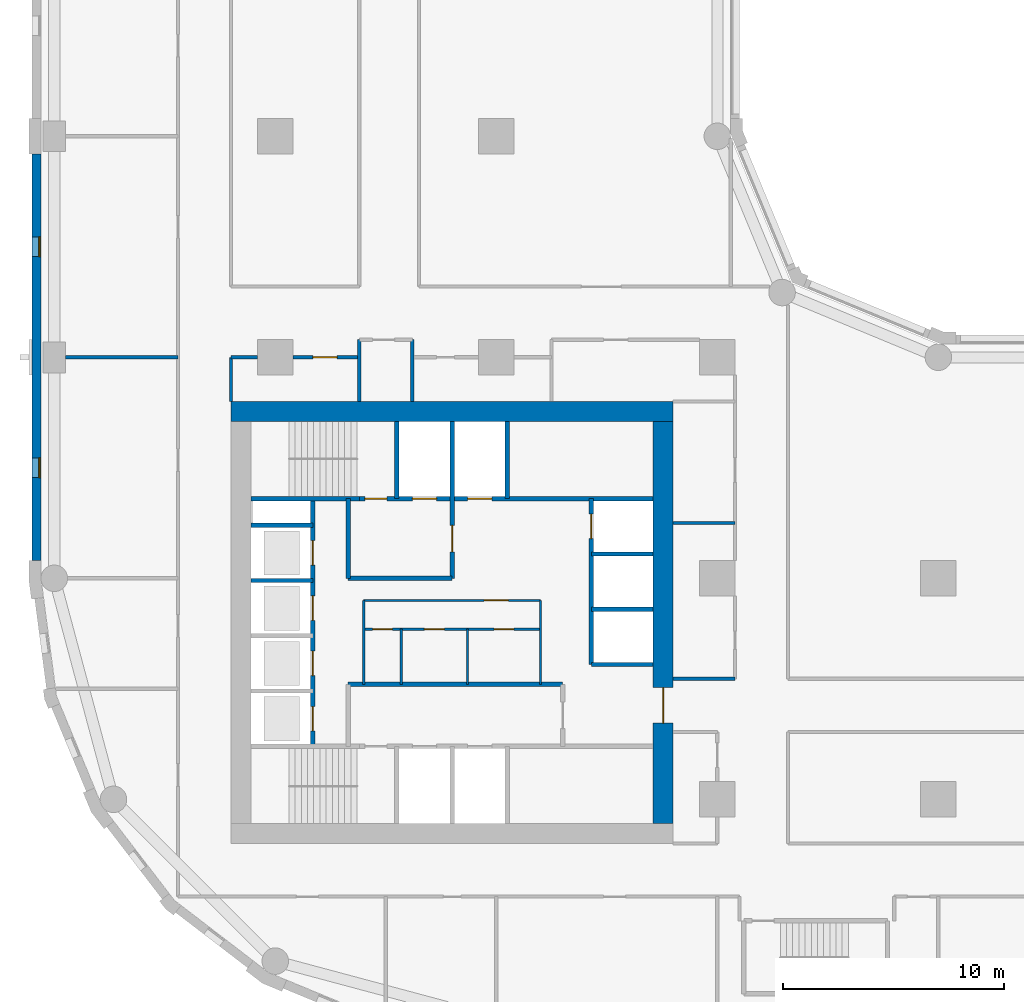
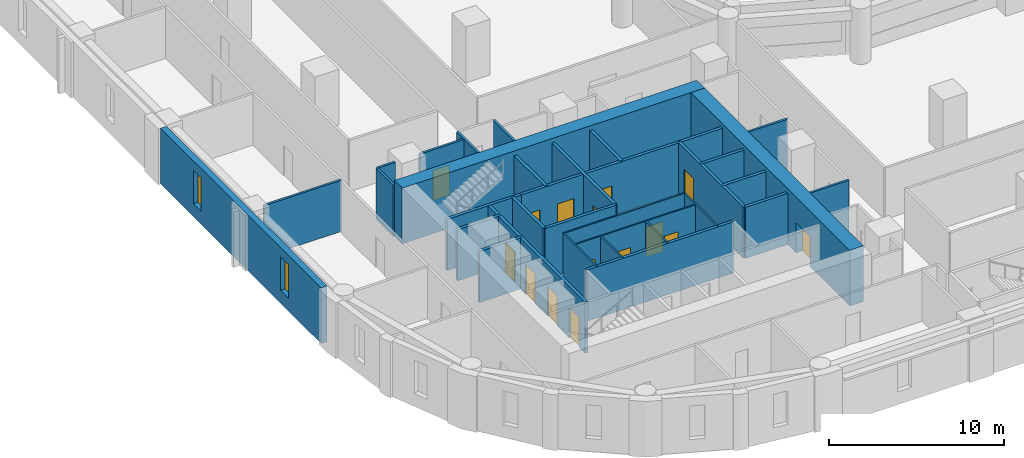
# One storey, part 3 of 10: 32 walls, 15 doors, 2 windows, 17 openings.
"""IFC4 building model written with IfcOpenShell, lengths in metres."""

from ifc_helpers import new_model, si_unit, direction, frame, frame_2d, origin, place, context, subcontext, project, spatial, rectangle, extrude, material, layer, layer_set, type_object, element, fill, save


model = new_model("IFC4")

# Units and contexts
model_context = context("Model", 3, precision=1e-05, world=origin(), true_north=direction((0.0, 1.0)))
body_context = subcontext(model_context, "Body", "Model", "MODEL_VIEW")
ifc_project = project(units=[si_unit("LENGTHUNIT", "METRE"), si_unit("AREAUNIT", "SQUARE_METRE"), si_unit("VOLUMEUNIT", "CUBIC_METRE"), si_unit("PLANEANGLEUNIT", "RADIAN"), si_unit("MASSUNIT", "GRAM", prefix="KILO")], contexts=[model_context])

# Site, building, storey
site_placement = place(None, origin())
site = spatial("IfcSite", under=ifc_project, at=site_placement, CompositionType="ELEMENT")
building_placement = place(site_placement, origin())
building = spatial("IfcBuilding", under=site, at=building_placement, Name="Qaws Garden Tower", CompositionType="ELEMENT")
storey_placement = place(building_placement, frame((0.0, 0.0, 47.10009765625)))
storey = spatial("IfcBuildingStorey", under=building, at=storey_placement, Name="L11", CompositionType="ELEMENT", Elevation=47.10009765625)

# Wall, openings, windows
ifc_material_1 = material(Name="Clay facing brick masonry", Category="masonry")
ifc_layer_1 = layer(ifc_material_1, 0.39990234375)
ifc_layer_set_1 = layer_set([ifc_layer_1], Name="Clay facing brick masonry")
wall_type_1 = type_object("IfcWallType", Name="Brick infill wall 400", PredefinedType="SOLIDWALL", material=ifc_layer_set_1)
wall_1_placement = place(storey_placement, frame((-0.800048828125, 39.199951171875, 0.0), z_axis=(0.0, 0.0, 1.0), x_axis=(0.0, -1.0, 0.0)))
wall_1 = element("IfcWall", 1, at=wall_1_placement, inside=storey, type_object=wall_type_1, Name="E-L11-infill-25", PredefinedType="SOLIDWALL", context=body_context, shape_type="SweptSolid", body=[
    extrude(rectangle(XDim=18.39990234375, YDim=0.39990234375, at=frame_2d((9.199951171875, 0.0))), origin(), (0.0, 0.0, 1.0), 3.89990234375),
])
opening_1_placement = place(wall_1_placement, frame((3.75, 0.0, 0.89990234375)))
opening_1 = element("IfcOpeningElement", 2, at=opening_1_placement, cuts=wall_1, Name="Opening W09", PredefinedType="OPENING", context=body_context, shape_type="SweptSolid", body=[
    extrude(rectangle(XDim=0.89990234375, YDim=2.35009765625, at=frame_2d((0.449951171875, 1.175048828125))), frame((0.0, 0.2099609375, 0.0), z_axis=(0.0, -1.0, 0.0), x_axis=(1.0, 0.0, 0.0)), (0.0, 0.0, 1.0), 0.419921875),
])
opening_2_placement = place(wall_1_placement, frame((13.75, 0.0, 0.89990234375)))
opening_2 = element("IfcOpeningElement", 3, at=opening_2_placement, cuts=wall_1, Name="Opening W09", PredefinedType="OPENING", context=body_context, shape_type="SweptSolid", body=[
    extrude(rectangle(XDim=0.89990234375, YDim=2.35009765625, at=frame_2d((0.449951171875, 1.175048828125))), frame((0.0, 0.2099609375, 0.0), z_axis=(0.0, -1.0, 0.0), x_axis=(1.0, 0.0, 0.0)), (0.0, 0.0, 1.0), 0.419921875),
])
ifc_material_2 = material(Name="Aluminium framed window, clear glazing", Category="aluminium")
window_type = type_object("IfcWindowType", Name="Slit window 900 x 2350", PartitioningType="SINGLE_PANEL", PredefinedType="WINDOW", material=ifc_material_2)
window_1_placement = place(opening_1_placement, origin())
window_1 = element("IfcWindow", 4, at=window_1_placement, inside=storey, type_object=window_type, Name="E-L11-window-25-0", OverallHeight=2.35009765625, OverallWidth=0.89990234375, PartitioningType="SINGLE_PANEL", PredefinedType="WINDOW", context=body_context, shape_type="SweptSolid", body=[
    extrude(rectangle(XDim=0.89990234375, YDim=2.35009765625, at=frame_2d((0.449951171875, 1.175048828125))), frame((0.0, 0.159912109375, 0.0), z_axis=(0.0, -1.0, 0.0), x_axis=(1.0, 0.0, 0.0)), (0.0, 0.0, 1.0), 0.06005859375),
])
fill(opening_1, window_1)
window_2_placement = place(opening_2_placement, origin())
window_2 = element("IfcWindow", 5, at=window_2_placement, inside=storey, type_object=window_type, Name="E-L11-window-26-0", OverallHeight=2.35009765625, OverallWidth=0.89990234375, PartitioningType="SINGLE_PANEL", PredefinedType="WINDOW", context=body_context, shape_type="SweptSolid", body=[
    extrude(rectangle(XDim=0.89990234375, YDim=2.35009765625, at=frame_2d((0.449951171875, 1.175048828125))), frame((0.0, 0.159912109375, 0.0), z_axis=(0.0, -1.0, 0.0), x_axis=(1.0, 0.0, 0.0)), (0.0, 0.0, 1.0), 0.06005859375),
])
fill(opening_2, window_2)

# Wall, openings, doors
ifc_material_3 = material(Name="Plasterboard")
ifc_layer_2 = layer(ifc_material_3, 0.10009765625)
ifc_layer_set_2 = layer_set([ifc_layer_2], Name="Plasterboard")
wall_type_2 = type_object("IfcWallType", Name="Core partition 100", PredefinedType="PARTITIONING", material=ifc_layer_set_2)
wall_2_placement = place(storey_placement, frame((14.0, 17.699951171875, 0.0), z_axis=(0.0, 0.0, 1.0), x_axis=(1.0, 0.0, 0.0)))
wall_2 = element("IfcWall", 6, at=wall_2_placement, inside=storey, type_object=wall_type_2, Name="Core partition", PredefinedType="PARTITIONING", context=body_context, shape_type="SweptSolid", body=[
    extrude(rectangle(XDim=8.0, YDim=0.10009765625, at=frame_2d((4.0, 0.0))), origin(), (0.0, 0.0, 1.0), 3.579833984375),
])
opening_3_placement = place(wall_2_placement, frame((0.39990234375, 0.0, 0.0)))
opening_3 = element("IfcOpeningElement", 7, at=opening_3_placement, cuts=wall_2, Name="Opening WD18", PredefinedType="OPENING", context=body_context, shape_type="SweptSolid", body=[
    extrude(rectangle(XDim=0.89990234375, YDim=2.10009765625, at=frame_2d((0.449951171875, 1.050048828125))), frame((0.0, 0.06005859375, 0.0), z_axis=(0.0, -1.0, 0.0), x_axis=(1.0, 0.0, 0.0)), (0.0, 0.0, 1.0), 0.1201171875),
])
opening_4_placement = place(wall_2_placement, frame((2.75, 0.0, 0.0)))
opening_4 = element("IfcOpeningElement", 8, at=opening_4_placement, cuts=wall_2, Name="Opening WD19", PredefinedType="OPENING", context=body_context, shape_type="SweptSolid", body=[
    extrude(rectangle(XDim=0.89990234375, YDim=2.10009765625, at=frame_2d((0.449951171875, 1.050048828125))), frame((0.0, 0.06005859375, 0.0), z_axis=(0.0, -1.0, 0.0), x_axis=(1.0, 0.0, 0.0)), (0.0, 0.0, 1.0), 0.1201171875),
])
opening_5_placement = place(wall_2_placement, frame((5.89990234375, 0.0, 0.0)))
opening_5 = element("IfcOpeningElement", 9, at=opening_5_placement, cuts=wall_2, Name="Opening WD20", PredefinedType="OPENING", context=body_context, shape_type="SweptSolid", body=[
    extrude(rectangle(XDim=0.89990234375, YDim=2.10009765625, at=frame_2d((0.449951171875, 1.050048828125))), frame((0.0, 0.06005859375, 0.0), z_axis=(0.0, -1.0, 0.0), x_axis=(1.0, 0.0, 0.0)), (0.0, 0.0, 1.0), 0.1201171875),
])
ifc_material_4 = material(Name="Timber", Category="wood")
door_type_1 = type_object("IfcDoorType", Name="WC door 900x2100", OperationType="SINGLE_SWING_LEFT", PredefinedType="DOOR", material=ifc_material_4)
door_1_placement = place(opening_3_placement, frame((0.89990234375, 0.0, 0.0), z_axis=(0.0, 0.0, 1.0), x_axis=(-1.0, 0.0, 0.0)))
door_1 = element("IfcDoor", 10, at=door_1_placement, inside=storey, type_object=door_type_1, Name="Accessible WC door", OperationType="SINGLE_SWING_LEFT", OverallHeight=2.10009765625, OverallWidth=0.89990234375, PredefinedType="DOOR", context=body_context, shape_type="SweptSolid", body=[
    extrude(rectangle(XDim=0.89990234375, YDim=2.10009765625, at=frame_2d((0.449951171875, 1.050048828125))), frame((0.0, 0.02490234375, 0.0), z_axis=(0.0, -1.0, 0.0), x_axis=(1.0, 0.0, 0.0)), (0.0, 0.0, 1.0), 0.050048828125),
])
fill(opening_3, door_1)
door_2_placement = place(opening_4_placement, frame((0.89990234375, 0.0, 0.0), z_axis=(0.0, 0.0, 1.0), x_axis=(-1.0, 0.0, 0.0)))
door_2 = element("IfcDoor", 11, at=door_2_placement, inside=storey, type_object=door_type_1, Name="Men's WC door", OperationType="SINGLE_SWING_LEFT", OverallHeight=2.10009765625, OverallWidth=0.89990234375, PredefinedType="DOOR", context=body_context, shape_type="SweptSolid", body=[
    extrude(rectangle(XDim=0.89990234375, YDim=2.10009765625, at=frame_2d((0.449951171875, 1.050048828125))), frame((0.0, 0.02490234375, 0.0), z_axis=(0.0, -1.0, 0.0), x_axis=(1.0, 0.0, 0.0)), (0.0, 0.0, 1.0), 0.050048828125),
])
fill(opening_4, door_2)
door_3_placement = place(opening_5_placement, frame((0.89990234375, 0.0, 0.0), z_axis=(0.0, 0.0, 1.0), x_axis=(-1.0, 0.0, 0.0)))
door_3 = element("IfcDoor", 12, at=door_3_placement, inside=storey, type_object=door_type_1, Name="Women's WC door", OperationType="SINGLE_SWING_LEFT", OverallHeight=2.10009765625, OverallWidth=0.89990234375, PredefinedType="DOOR", context=body_context, shape_type="SweptSolid", body=[
    extrude(rectangle(XDim=0.89990234375, YDim=2.10009765625, at=frame_2d((0.449951171875, 1.050048828125))), frame((0.0, 0.02490234375, 0.0), z_axis=(0.0, -1.0, 0.0), x_axis=(1.0, 0.0, 0.0)), (0.0, 0.0, 1.0), 0.050048828125),
])
fill(opening_5, door_3)

# Wall, opening, door
wall_3_placement = place(storey_placement, frame((14.0, 19.0, 0.0), z_axis=(0.0, 0.0, 1.0), x_axis=(1.0, 0.0, 0.0)))
wall_3 = element("IfcWall", 13, at=wall_3_placement, inside=storey, type_object=wall_type_2, Name="Core partition", PredefinedType="PARTITIONING", context=body_context, shape_type="SweptSolid", body=[
    extrude(rectangle(XDim=8.0, YDim=0.10009765625, at=frame_2d((4.0, 0.0))), origin(), (0.0, 0.0, 1.0), 3.579833984375),
])
opening_6_placement = place(wall_3_placement, frame((5.449951171875, 0.0, 0.0)))
opening_6 = element("IfcOpeningElement", 14, at=opening_6_placement, cuts=wall_3, Name="Opening WL17", PredefinedType="OPENING", context=body_context, shape_type="SweptSolid", body=[
    extrude(rectangle(XDim=1.10009765625, YDim=2.10009765625, at=frame_2d((0.550048828125, 1.050048828125))), frame((0.0, 0.06005859375, 0.0), z_axis=(0.0, -1.0, 0.0), x_axis=(1.0, 0.0, 0.0)), (0.0, 0.0, 1.0), 0.1201171875),
])
ifc_material_5 = material(Name="Timber", Category="wood")
door_type_2 = type_object("IfcDoorType", Name="WC lobby door 1100x2100", OperationType="SINGLE_SWING_LEFT", PredefinedType="DOOR", material=ifc_material_5)
door_4_placement = place(opening_6_placement, frame((1.10009765625, 0.0, 0.0), z_axis=(0.0, 0.0, 1.0), x_axis=(-1.0, 0.0, 0.0)))
door_4 = element("IfcDoor", 15, at=door_4_placement, inside=storey, type_object=door_type_2, Name="WC lobby door", OperationType="SINGLE_SWING_LEFT", OverallHeight=2.10009765625, OverallWidth=1.10009765625, PredefinedType="DOOR", context=body_context, shape_type="SweptSolid", body=[
    extrude(rectangle(XDim=1.10009765625, YDim=2.10009765625, at=frame_2d((0.550048828125, 1.050048828125))), frame((0.0, 0.02490234375, 0.0), z_axis=(0.0, -1.0, 0.0), x_axis=(1.0, 0.0, 0.0)), (0.0, 0.0, 1.0), 0.050048828125),
])
fill(opening_6, door_4)

# Walls
wall_4_placement = place(storey_placement, frame((14.0, 15.199951171875, 0.0), z_axis=(0.0, 0.0, 1.0), x_axis=(0.0, 1.0, 0.0)))
element("IfcWall", 16, at=wall_4_placement, inside=storey, type_object=wall_type_2, Name="Core partition", PredefinedType="PARTITIONING", context=body_context, shape_type="SweptSolid", body=[
    extrude(rectangle(XDim=3.800048828125, YDim=0.10009765625, at=frame_2d((1.89990234375, 0.0))), origin(), (0.0, 0.0, 1.0), 3.579833984375),
])
for number, where, z_axis, x_axis, name in (
    (17, (15.699951171875, 15.199951171875, 0.0), (0.0, 0.0, 1.0), (0.0, 1.0, 0.0), "Core partition"),
    (18, (18.699951171875, 15.199951171875, 0.0), (0.0, 0.0, 1.0), (0.0, 1.0, 0.0), "Core partition"),
):
    element("IfcWall", number, at=place(storey_placement, frame(where, z_axis=z_axis, x_axis=x_axis)), inside=storey, type_object=wall_type_2, Name=name, PredefinedType="PARTITIONING", context=body_context, shape_type="SweptSolid", body=[
        extrude(rectangle(XDim=2.5, YDim=0.10009765625, at=frame_2d((1.25, 0.0))), origin(), (0.0, 0.0, 1.0), 3.579833984375),
    ])
wall_5_placement = place(storey_placement, frame((22.0, 15.199951171875, 0.0), z_axis=(0.0, 0.0, 1.0), x_axis=(0.0, 1.0, 0.0)))
element("IfcWall", 19, at=wall_5_placement, inside=storey, type_object=wall_type_2, Name="Core partition", PredefinedType="PARTITIONING", context=body_context, shape_type="SweptSolid", body=[
    extrude(rectangle(XDim=3.800048828125, YDim=0.10009765625, at=frame_2d((1.89990234375, 0.0))), origin(), (0.0, 0.0, 1.0), 3.579833984375),
])
ifc_material_6 = material(Name="Concrete C80", Category="concrete")
ifc_layer_3 = layer(ifc_material_6, 0.199951171875)
ifc_layer_set_3 = layer_set([ifc_layer_3], Name="Concrete C80")
wall_type_3 = type_object("IfcWallType", Name="Core shaft wall 200 C80", PredefinedType="SHEAR", material=ifc_layer_set_3)
wall_6_placement = place(storey_placement, frame((13.300048828125, 15.199951171875, 0.0), z_axis=(0.0, 0.0, 1.0), x_axis=(1.0, 0.0, 0.0)))
element("IfcWall", 20, at=wall_6_placement, inside=storey, type_object=wall_type_3, Name="Shaft wall", PredefinedType="SHEAR", context=body_context, shape_type="SweptSolid", body=[
    extrude(rectangle(XDim=9.699951171875, YDim=0.199951171875, at=frame_2d((4.85009765625, 0.0))), origin(), (0.0, 0.0, 1.0), 3.579833984375),
])
for number, where, z_axis, x_axis, name in (
    (21, (24.300048828125, 16.10009765625, 0.0), (0.0, 0.0, 1.0), (1.0, 0.0, 0.0), "Shaft wall"),
    (22, (24.300048828125, 18.60009765625, 0.0), (0.0, 0.0, 1.0), (1.0, 0.0, 0.0), "Shaft wall"),
    (23, (8.89990234375, 19.89990234375, 0.0), (0.0, 0.0, 1.0), (1.0, 0.0, 0.0), "Shaft wall"),
):
    element("IfcWall", number, at=place(storey_placement, frame(where, z_axis=z_axis, x_axis=x_axis)), inside=storey, type_object=wall_type_3, Name=name, PredefinedType="SHEAR", context=body_context, shape_type="SweptSolid", body=[
        extrude(rectangle(XDim=2.800048828125, YDim=0.199951171875, at=frame_2d((1.39990234375, 0.0))), origin(), (0.0, 0.0, 1.0), 3.579833984375),
    ])
wall_7_placement = place(storey_placement, frame((13.300048828125, 20.0, 0.0), z_axis=(0.0, 0.0, 1.0), x_axis=(1.0, 0.0, 0.0)))
element("IfcWall", 24, at=wall_7_placement, inside=storey, type_object=wall_type_3, Name="Shaft wall", PredefinedType="SHEAR", context=body_context, shape_type="SweptSolid", body=[
    extrude(rectangle(XDim=4.699951171875, YDim=0.199951171875, at=frame_2d((2.35009765625, 0.0))), origin(), (0.0, 0.0, 1.0), 3.579833984375),
])
for number, where, z_axis, x_axis, name in (
    (25, (24.300048828125, 21.10009765625, 0.0), (0.0, 0.0, 1.0), (1.0, 0.0, 0.0), "Shaft wall"),
    (26, (8.89990234375, 22.39990234375, 0.0), (0.0, 0.0, 1.0), (1.0, 0.0, 0.0), "Shaft wall"),
):
    element("IfcWall", number, at=place(storey_placement, frame(where, z_axis=z_axis, x_axis=x_axis)), inside=storey, type_object=wall_type_3, Name=name, PredefinedType="SHEAR", context=body_context, shape_type="SweptSolid", body=[
        extrude(rectangle(XDim=2.800048828125, YDim=0.199951171875, at=frame_2d((1.39990234375, 0.0))), origin(), (0.0, 0.0, 1.0), 3.579833984375),
    ])
wall_8_placement = place(storey_placement, frame((8.89990234375, 23.60009765625, 0.0), z_axis=(0.0, 0.0, 1.0), x_axis=(1.0, 0.0, 0.0)))
element("IfcWall", 27, at=wall_8_placement, inside=storey, type_object=wall_type_3, Name="Shaft wall", PredefinedType="SHEAR", context=body_context, shape_type="SweptSolid", body=[
    extrude(rectangle(XDim=4.900146484375, YDim=0.199951171875, at=frame_2d((2.4501953125, 0.0))), origin(), (0.0, 0.0, 1.0), 3.579833984375),
])

# Wall, openings, doors
wall_9_placement = place(storey_placement, frame((13.800048828125, 23.60009765625, 0.0), z_axis=(0.0, 0.0, 1.0), x_axis=(1.0, 0.0, 0.0)))
wall_9 = element("IfcWall", 28, at=wall_9_placement, inside=storey, type_object=wall_type_3, Name="Shaft wall", PredefinedType="SHEAR", context=body_context, shape_type="SweptSolid", body=[
    extrude(rectangle(XDim=13.300048828125, YDim=0.199951171875, at=frame_2d((6.64990234375, 0.0))), origin(), (0.0, 0.0, 1.0), 3.579833984375),
])
opening_7_placement = place(wall_9_placement, frame((2.39990234375, 0.0, 0.0)))
opening_7 = element("IfcOpeningElement", 29, at=opening_7_placement, cuts=wall_9, Name="Opening LD08", PredefinedType="OPENING", context=body_context, shape_type="SweptSolid", body=[
    extrude(rectangle(XDim=1.10009765625, YDim=2.10009765625, at=frame_2d((0.550048828125, 1.050048828125))), frame((0.0, 0.10986328125, 0.0), z_axis=(0.0, -1.0, 0.0), x_axis=(1.0, 0.0, 0.0)), (0.0, 0.0, 1.0), 0.219970703125),
])
opening_8_placement = place(wall_9_placement, frame((4.89990234375, 0.0, 0.0)))
opening_8 = element("IfcOpeningElement", 30, at=opening_8_placement, cuts=wall_9, Name="Opening LD09", PredefinedType="OPENING", context=body_context, shape_type="SweptSolid", body=[
    extrude(rectangle(XDim=1.10009765625, YDim=2.10009765625, at=frame_2d((0.550048828125, 1.050048828125))), frame((0.0, 0.10986328125, 0.0), z_axis=(0.0, -1.0, 0.0), x_axis=(1.0, 0.0, 0.0)), (0.0, 0.0, 1.0), 0.219970703125),
])
opening_9_placement = place(wall_9_placement, frame((0.25, 0.0, 0.0)))
opening_9 = element("IfcOpeningElement", 31, at=opening_9_placement, cuts=wall_9, Name="Opening SD11", PredefinedType="OPENING", context=body_context, shape_type="SweptSolid", body=[
    extrude(rectangle(XDim=1.0, YDim=2.10009765625, at=frame_2d((0.5, 1.050048828125))), frame((0.0, 0.10986328125, 0.0), z_axis=(0.0, -1.0, 0.0), x_axis=(1.0, 0.0, 0.0)), (0.0, 0.0, 1.0), 0.219970703125),
])
ifc_material_7 = material(Name="Steel S235", Category="steel")
door_type_3 = type_object("IfcDoorType", Name="Landing door 1100x2100", OperationType="DOUBLE_DOOR_SLIDING", PredefinedType="DOOR", material=ifc_material_7)
door_5_placement = place(opening_7_placement, origin())
door_5 = element("IfcDoor", 32, at=door_5_placement, inside=storey, type_object=door_type_3, Name="Lift FF3 landing door", OperationType="DOUBLE_DOOR_SLIDING", OverallHeight=2.10009765625, OverallWidth=1.10009765625, PredefinedType="DOOR", context=body_context, shape_type="SweptSolid", body=[
    extrude(rectangle(XDim=1.10009765625, YDim=2.10009765625, at=frame_2d((0.550048828125, 1.050048828125))), frame((0.0, 0.02490234375, 0.0), z_axis=(0.0, -1.0, 0.0), x_axis=(1.0, 0.0, 0.0)), (0.0, 0.0, 1.0), 0.050048828125),
])
fill(opening_7, door_5)
door_6_placement = place(opening_8_placement, origin())
door_6 = element("IfcDoor", 33, at=door_6_placement, inside=storey, type_object=door_type_3, Name="Lift SV2 landing door", OperationType="DOUBLE_DOOR_SLIDING", OverallHeight=2.10009765625, OverallWidth=1.10009765625, PredefinedType="DOOR", context=body_context, shape_type="SweptSolid", body=[
    extrude(rectangle(XDim=1.10009765625, YDim=2.10009765625, at=frame_2d((0.550048828125, 1.050048828125))), frame((0.0, 0.02490234375, 0.0), z_axis=(0.0, -1.0, 0.0), x_axis=(1.0, 0.0, 0.0)), (0.0, 0.0, 1.0), 0.050048828125),
])
fill(opening_8, door_6)
ifc_material_8 = material(Name="Steel S235", Category="steel")
door_type_4 = type_object("IfcDoorType", Name="Stair door 1000x2100", OperationType="SINGLE_SWING_RIGHT", PredefinedType="DOOR", material=ifc_material_8)
door_7_placement = place(opening_9_placement, origin())
door_7 = element("IfcDoor", 34, at=door_7_placement, inside=storey, type_object=door_type_4, Name="Stair 4 door", OperationType="SINGLE_SWING_RIGHT", OverallHeight=2.10009765625, OverallWidth=1.0, PredefinedType="DOOR", context=body_context, shape_type="SweptSolid", body=[
    extrude(rectangle(XDim=1.0, YDim=2.10009765625, at=frame_2d((0.5, 1.050048828125))), frame((0.0, 0.02490234375, 0.0), z_axis=(0.0, -1.0, 0.0), x_axis=(1.0, 0.0, 0.0)), (0.0, 0.0, 1.0), 0.050048828125),
])
fill(opening_9, door_7)

wall_10_placement = place(storey_placement, frame((11.699951171875, 12.39990234375, 0.0), z_axis=(0.0, 0.0, 1.0), x_axis=(0.0, 1.0, 0.0)))
wall_10 = element("IfcWall", 35, at=wall_10_placement, inside=storey, type_object=wall_type_3, Name="Shaft wall", PredefinedType="SHEAR", context=body_context, shape_type="SweptSolid", body=[
    extrude(rectangle(XDim=11.2001953125, YDim=0.199951171875, at=frame_2d((5.60009765625, 0.0))), origin(), (0.0, 0.0, 1.0), 3.579833984375),
])
opening_10_placement = place(wall_10_placement, frame((0.699951171875, 0.0, 0.0)))
opening_10 = element("IfcOpeningElement", 36, at=opening_10_placement, cuts=wall_10, Name="Opening LD01", PredefinedType="OPENING", context=body_context, shape_type="SweptSolid", body=[
    extrude(rectangle(XDim=1.10009765625, YDim=2.10009765625, at=frame_2d((0.550048828125, 1.050048828125))), frame((0.0, 0.10986328125, 0.0), z_axis=(0.0, -1.0, 0.0), x_axis=(1.0, 0.0, 0.0)), (0.0, 0.0, 1.0), 0.219970703125),
])
opening_11_placement = place(wall_10_placement, frame((3.199951171875, 0.0, 0.0)))
opening_11 = element("IfcOpeningElement", 37, at=opening_11_placement, cuts=wall_10, Name="Opening LD02", PredefinedType="OPENING", context=body_context, shape_type="SweptSolid", body=[
    extrude(rectangle(XDim=1.10009765625, YDim=2.10009765625, at=frame_2d((0.550048828125, 1.050048828125))), frame((0.0, 0.10986328125, 0.0), z_axis=(0.0, -1.0, 0.0), x_axis=(1.0, 0.0, 0.0)), (0.0, 0.0, 1.0), 0.219970703125),
])
opening_12_placement = place(wall_10_placement, frame((5.699951171875, 0.0, 0.0)))
opening_12 = element("IfcOpeningElement", 38, at=opening_12_placement, cuts=wall_10, Name="Opening LD03", PredefinedType="OPENING", context=body_context, shape_type="SweptSolid", body=[
    extrude(rectangle(XDim=1.10009765625, YDim=2.10009765625, at=frame_2d((0.550048828125, 1.050048828125))), frame((0.0, 0.10986328125, 0.0), z_axis=(0.0, -1.0, 0.0), x_axis=(1.0, 0.0, 0.0)), (0.0, 0.0, 1.0), 0.219970703125),
])
opening_13_placement = place(wall_10_placement, frame((8.199951171875, 0.0, 0.0)))
opening_13 = element("IfcOpeningElement", 39, at=opening_13_placement, cuts=wall_10, Name="Opening LD04", PredefinedType="OPENING", context=body_context, shape_type="SweptSolid", body=[
    extrude(rectangle(XDim=1.10009765625, YDim=2.10009765625, at=frame_2d((0.550048828125, 1.050048828125))), frame((0.0, 0.10986328125, 0.0), z_axis=(0.0, -1.0, 0.0), x_axis=(1.0, 0.0, 0.0)), (0.0, 0.0, 1.0), 0.219970703125),
])
door_8_placement = place(opening_10_placement, origin())
door_8 = element("IfcDoor", 40, at=door_8_placement, inside=storey, type_object=door_type_3, Name="Lift W1 landing door", OperationType="DOUBLE_DOOR_SLIDING", OverallHeight=2.10009765625, OverallWidth=1.10009765625, PredefinedType="DOOR", context=body_context, shape_type="SweptSolid", body=[
    extrude(rectangle(XDim=1.10009765625, YDim=2.10009765625, at=frame_2d((0.550048828125, 1.050048828125))), frame((0.0, 0.02490234375, 0.0), z_axis=(0.0, -1.0, 0.0), x_axis=(1.0, 0.0, 0.0)), (0.0, 0.0, 1.0), 0.050048828125),
])
fill(opening_10, door_8)
door_9_placement = place(opening_11_placement, origin())
door_9 = element("IfcDoor", 41, at=door_9_placement, inside=storey, type_object=door_type_3, Name="Lift W2 landing door", OperationType="DOUBLE_DOOR_SLIDING", OverallHeight=2.10009765625, OverallWidth=1.10009765625, PredefinedType="DOOR", context=body_context, shape_type="SweptSolid", body=[
    extrude(rectangle(XDim=1.10009765625, YDim=2.10009765625, at=frame_2d((0.550048828125, 1.050048828125))), frame((0.0, 0.02490234375, 0.0), z_axis=(0.0, -1.0, 0.0), x_axis=(1.0, 0.0, 0.0)), (0.0, 0.0, 1.0), 0.050048828125),
])
fill(opening_11, door_9)
door_10_placement = place(opening_12_placement, origin())
door_10 = element("IfcDoor", 42, at=door_10_placement, inside=storey, type_object=door_type_3, Name="Lift W3 landing door", OperationType="DOUBLE_DOOR_SLIDING", OverallHeight=2.10009765625, OverallWidth=1.10009765625, PredefinedType="DOOR", context=body_context, shape_type="SweptSolid", body=[
    extrude(rectangle(XDim=1.10009765625, YDim=2.10009765625, at=frame_2d((0.550048828125, 1.050048828125))), frame((0.0, 0.02490234375, 0.0), z_axis=(0.0, -1.0, 0.0), x_axis=(1.0, 0.0, 0.0)), (0.0, 0.0, 1.0), 0.050048828125),
])
fill(opening_12, door_10)
door_11_placement = place(opening_13_placement, origin())
door_11 = element("IfcDoor", 43, at=door_11_placement, inside=storey, type_object=door_type_3, Name="Lift W4 landing door", OperationType="DOUBLE_DOOR_SLIDING", OverallHeight=2.10009765625, OverallWidth=1.10009765625, PredefinedType="DOOR", context=body_context, shape_type="SweptSolid", body=[
    extrude(rectangle(XDim=1.10009765625, YDim=2.10009765625, at=frame_2d((0.550048828125, 1.050048828125))), frame((0.0, 0.02490234375, 0.0), z_axis=(0.0, -1.0, 0.0), x_axis=(1.0, 0.0, 0.0)), (0.0, 0.0, 1.0), 0.050048828125),
])
fill(opening_13, door_11)

# Walls
wall_11_placement = place(storey_placement, frame((13.300048828125, 20.0, 0.0), z_axis=(0.0, 0.0, 1.0), x_axis=(0.0, 1.0, 0.0)))
element("IfcWall", 44, at=wall_11_placement, inside=storey, type_object=wall_type_3, Name="Shaft wall", PredefinedType="SHEAR", context=body_context, shape_type="SweptSolid", body=[
    extrude(rectangle(XDim=3.60009765625, YDim=0.199951171875, at=frame_2d((1.800048828125, 0.0))), origin(), (0.0, 0.0, 1.0), 3.579833984375),
])
wall_12_placement = place(storey_placement, frame((15.5, 23.60009765625, 0.0), z_axis=(0.0, 0.0, 1.0), x_axis=(0.0, 1.0, 0.0)))
element("IfcWall", 45, at=wall_12_placement, inside=storey, type_object=wall_type_3, Name="Shaft wall", PredefinedType="SHEAR", context=body_context, shape_type="SweptSolid", body=[
    extrude(rectangle(XDim=3.5, YDim=0.199951171875, at=frame_2d((1.75, 0.0))), origin(), (0.0, 0.0, 1.0), 3.579833984375),
])

# Wall, opening, door
wall_13_placement = place(storey_placement, frame((18.0, 20.0, 0.0), z_axis=(0.0, 0.0, 1.0), x_axis=(0.0, 1.0, 0.0)))
wall_13 = element("IfcWall", 46, at=wall_13_placement, inside=storey, type_object=wall_type_3, Name="Shaft wall", PredefinedType="SHEAR", context=body_context, shape_type="SweptSolid", body=[
    extrude(rectangle(XDim=7.10009765625, YDim=0.199951171875, at=frame_2d((3.550048828125, 0.0))), origin(), (0.0, 0.0, 1.0), 3.579833984375),
])
opening_14_placement = place(wall_13_placement, frame((1.199951171875, 0.0, 0.0)))
opening_14 = element("IfcOpeningElement", 47, at=opening_14_placement, cuts=wall_13, Name="Opening FD16", PredefinedType="OPENING", context=body_context, shape_type="SweptSolid", body=[
    extrude(rectangle(XDim=1.199951171875, YDim=2.10009765625, at=frame_2d((0.60009765625, 1.050048828125))), frame((0.0, 0.10986328125, 0.0), z_axis=(0.0, -1.0, 0.0), x_axis=(1.0, 0.0, 0.0)), (0.0, 0.0, 1.0), 0.219970703125),
])
ifc_material_9 = material(Name="Steel S235", Category="steel")
door_type_5 = type_object("IfcDoorType", Name="Lobby door 1200x2100", OperationType="DOUBLE_DOOR_SINGLE_SWING", PredefinedType="DOOR", material=ifc_material_9)
door_12_placement = place(opening_14_placement, origin())
door_12 = element("IfcDoor", 48, at=door_12_placement, inside=storey, type_object=door_type_5, Name="Fire-fighting lobby door", OperationType="DOUBLE_DOOR_SINGLE_SWING", OverallHeight=2.10009765625, OverallWidth=1.199951171875, PredefinedType="DOOR", context=body_context, shape_type="SweptSolid", body=[
    extrude(rectangle(XDim=1.199951171875, YDim=2.10009765625, at=frame_2d((0.60009765625, 1.050048828125))), frame((0.0, 0.02490234375, 0.0), z_axis=(0.0, -1.0, 0.0), x_axis=(1.0, 0.0, 0.0)), (0.0, 0.0, 1.0), 0.050048828125),
])
fill(opening_14, door_12)

# Wall
wall_14_placement = place(storey_placement, frame((20.5, 23.60009765625, 0.0), z_axis=(0.0, 0.0, 1.0), x_axis=(0.0, 1.0, 0.0)))
element("IfcWall", 49, at=wall_14_placement, inside=storey, type_object=wall_type_3, Name="Shaft wall", PredefinedType="SHEAR", context=body_context, shape_type="SweptSolid", body=[
    extrude(rectangle(XDim=3.5, YDim=0.199951171875, at=frame_2d((1.75, 0.0))), origin(), (0.0, 0.0, 1.0), 3.579833984375),
])

# Wall, opening, door
wall_15_placement = place(storey_placement, frame((24.300048828125, 16.10009765625, 0.0), z_axis=(0.0, 0.0, 1.0), x_axis=(0.0, 1.0, 0.0)))
wall_15 = element("IfcWall", 50, at=wall_15_placement, inside=storey, type_object=wall_type_3, Name="Shaft wall", PredefinedType="SHEAR", context=body_context, shape_type="SweptSolid", body=[
    extrude(rectangle(XDim=7.5, YDim=0.199951171875, at=frame_2d((3.75, 0.0))), origin(), (0.0, 0.0, 1.0), 3.579833984375),
])
opening_15_placement = place(wall_15_placement, frame((5.699951171875, 0.0, 0.0)))
opening_15 = element("IfcOpeningElement", 51, at=opening_15_placement, cuts=wall_15, Name="Opening LD05", PredefinedType="OPENING", context=body_context, shape_type="SweptSolid", body=[
    extrude(rectangle(XDim=1.10009765625, YDim=2.10009765625, at=frame_2d((0.550048828125, 1.050048828125))), frame((0.0, 0.10986328125, 0.0), z_axis=(0.0, -1.0, 0.0), x_axis=(1.0, 0.0, 0.0)), (0.0, 0.0, 1.0), 0.219970703125),
])
door_13_placement = place(opening_15_placement, origin())
door_13 = element("IfcDoor", 52, at=door_13_placement, inside=storey, type_object=door_type_3, Name="Lift E3 landing door", OperationType="DOUBLE_DOOR_SLIDING", OverallHeight=2.10009765625, OverallWidth=1.10009765625, PredefinedType="DOOR", context=body_context, shape_type="SweptSolid", body=[
    extrude(rectangle(XDim=1.10009765625, YDim=2.10009765625, at=frame_2d((0.550048828125, 1.050048828125))), frame((0.0, 0.02490234375, 0.0), z_axis=(0.0, -1.0, 0.0), x_axis=(1.0, 0.0, 0.0)), (0.0, 0.0, 1.0), 0.050048828125),
])
fill(opening_15, door_13)

ifc_material_10 = material(Name="Concrete C80", Category="concrete")
ifc_layer_4 = layer(ifc_material_10, 0.89990234375)
ifc_layer_set_4 = layer_set([ifc_layer_4], Name="Concrete C80")
wall_type_4 = type_object("IfcWallType", Name="Core wall 900 C80", PredefinedType="SHEAR", material=ifc_layer_set_4)
wall_16_placement = place(storey_placement, frame((27.550048828125, 8.89990234375, 0.0), z_axis=(0.0, 0.0, 1.0), x_axis=(0.0, 1.0, 0.0)))
wall_16 = element("IfcWall", 53, at=wall_16_placement, inside=storey, type_object=wall_type_4, Name="Core wall L11 east", PredefinedType="SHEAR", context=body_context, shape_type="SweptSolid", body=[
    extrude(rectangle(XDim=18.2001953125, YDim=0.89990234375, at=frame_2d((9.10009765625, 0.0))), origin(), (0.0, 0.0, 1.0), 3.89990234375),
])
opening_16_placement = place(wall_16_placement, frame((4.550048828125, 0.0, 0.0)))
opening_16 = element("IfcOpeningElement", 54, at=opening_16_placement, cuts=wall_16, Name="Opening ED21", PredefinedType="OPENING", context=body_context, shape_type="SweptSolid", body=[
    extrude(rectangle(XDim=1.60009765625, YDim=2.10009765625, at=frame_2d((0.800048828125, 1.050048828125))), frame((0.0, 0.4599609375, 0.0), z_axis=(0.0, -1.0, 0.0), x_axis=(1.0, 0.0, 0.0)), (0.0, 0.0, 1.0), 0.919921875),
])
ifc_material_11 = material(Name="Steel S235", Category="steel")
door_type_6 = type_object("IfcDoorType", Name="Core entrance door 1600x2100", OperationType="DOUBLE_DOOR_SINGLE_SWING", PredefinedType="DOOR", material=ifc_material_11)
door_14_placement = place(opening_16_placement, origin())
door_14 = element("IfcDoor", 55, at=door_14_placement, inside=storey, type_object=door_type_6, Name="Core entrance door", OperationType="DOUBLE_DOOR_SINGLE_SWING", OverallHeight=2.10009765625, OverallWidth=1.60009765625, PredefinedType="DOOR", context=body_context, shape_type="SweptSolid", body=[
    extrude(rectangle(XDim=1.60009765625, YDim=2.10009765625, at=frame_2d((0.800048828125, 1.050048828125))), frame((0.0, 0.02490234375, 0.0), z_axis=(0.0, -1.0, 0.0), x_axis=(1.0, 0.0, 0.0)), (0.0, 0.0, 1.0), 0.050048828125),
])
fill(opening_16, door_14)

# Walls
wall_17_placement = place(storey_placement, frame((28.0, 27.550048828125, 0.0), z_axis=(0.0, 0.0, 1.0), x_axis=(-1.0, 0.0, 0.0)))
element("IfcWall", 56, at=wall_17_placement, inside=storey, type_object=wall_type_4, Name="Core wall L11 north", PredefinedType="SHEAR", context=body_context, shape_type="SweptSolid", body=[
    extrude(rectangle(XDim=20.0, YDim=0.89990234375, at=frame_2d((10.0, 0.0))), origin(), (0.0, 0.0, 1.0), 3.89990234375),
])
ifc_material_12 = material(Name="Gypsum board partition")
ifc_layer_5 = layer(ifc_material_12, 0.14990234375)
ifc_layer_set_5 = layer_set([ifc_layer_5], Name="Gypsum board partition")
wall_type_5 = type_object("IfcWallType", Name="PARTITION 150 EI 60", PredefinedType="PARTITIONING", material=ifc_layer_set_5)
wall_18_placement = place(storey_placement, frame((8.0, 28.0, 0.0), z_axis=(0.0, 0.0, 1.0), x_axis=(0.0, 1.0, 0.0)))
element("IfcWall", 57, at=wall_18_placement, inside=storey, type_object=wall_type_5, Name="O-L11-wall-002", PredefinedType="PARTITIONING", context=body_context, shape_type="SweptSolid", body=[
    extrude(rectangle(XDim=2.0, YDim=0.14990234375, at=frame_2d((1.0, 0.0))), origin(), (0.0, 0.0, 1.0), 3.579833984375),
])
for number, where, z_axis, x_axis, name in (
    (58, (13.800048828125, 28.0, 0.0), (0.0, 0.0, 1.0), (0.0, 1.0, 0.0), "O-L11-wall-005"),
    (59, (16.199951171875, 28.0, 0.0), (0.0, 0.0, 1.0), (0.0, 1.0, 0.0), "O-L11-wall-008"),
    (60, (28.0, 15.449951171875, 0.0), (0.0, 0.0, 1.0), (1.0, 0.0, 0.0), "O-L11-wall-036"),
    (61, (28.0, 22.5, 0.0), (0.0, 0.0, 1.0), (1.0, 0.0, 0.0), "O-L11-wall-039"),
):
    element("IfcWall", number, at=place(storey_placement, frame(where, z_axis=z_axis, x_axis=x_axis)), inside=storey, type_object=wall_type_5, Name=name, PredefinedType="PARTITIONING", context=body_context, shape_type="SweptSolid", body=[
        extrude(rectangle(XDim=2.800048828125, YDim=0.14990234375, at=frame_2d((1.39990234375, 0.0))), origin(), (0.0, 0.0, 1.0), 3.579833984375),
    ])
wall_19_placement = place(storey_placement, frame((0.5, 30.0, 0.0), z_axis=(0.0, 0.0, 1.0), x_axis=(1.0, 0.0, 0.0)))
element("IfcWall", 62, at=wall_19_placement, inside=storey, type_object=wall_type_5, Name="O-L11-wall-041", PredefinedType="PARTITIONING", context=body_context, shape_type="SweptSolid", body=[
    extrude(rectangle(XDim=5.10009765625, YDim=0.14990234375, at=frame_2d((2.550048828125, 0.0))), origin(), (0.0, 0.0, 1.0), 3.579833984375),
])
wall_20_placement = place(storey_placement, frame((8.0, 30.0, 0.0), z_axis=(0.0, 0.0, 1.0), x_axis=(1.0, 0.0, 0.0)))
element("IfcWall", 63, at=wall_20_placement, inside=storey, type_object=wall_type_5, Name="O-L11-wall-042", PredefinedType="PARTITIONING", context=body_context, shape_type="SweptSolid", body=[
    extrude(rectangle(XDim=1.199951171875, YDim=0.14990234375, at=frame_2d((0.60009765625, 0.0))), origin(), (0.0, 0.0, 1.0), 3.579833984375),
])

# Wall, opening, door
wall_21_placement = place(storey_placement, frame((10.800048828125, 30.0, 0.0), z_axis=(0.0, 0.0, 1.0), x_axis=(1.0, 0.0, 0.0)))
wall_21 = element("IfcWall", 64, at=wall_21_placement, inside=storey, type_object=wall_type_5, Name="O-L11-wall-043", PredefinedType="PARTITIONING", context=body_context, shape_type="SweptSolid", body=[
    extrude(rectangle(XDim=3.0, YDim=0.14990234375, at=frame_2d((1.5, 0.0))), origin(), (0.0, 0.0, 1.0), 3.579833984375),
])
opening_17_placement = place(wall_21_placement, frame((0.89990234375, 0.0, 0.0)))
opening_17 = element("IfcOpeningElement", 65, at=opening_17_placement, cuts=wall_21, Name="Opening A410", PredefinedType="OPENING", context=body_context, shape_type="SweptSolid", body=[
    extrude(rectangle(XDim=1.10009765625, YDim=2.10009765625, at=frame_2d((0.550048828125, 1.050048828125))), frame((0.0, 0.0849609375, 0.0), z_axis=(0.0, -1.0, 0.0), x_axis=(1.0, 0.0, 0.0)), (0.0, 0.0, 1.0), 0.169921875),
])
ifc_material_13 = material(Name="Timber door leaf", Category="wood")
door_type_7 = type_object("IfcDoorType", Name="SERVICE ROOM DOOR 1100 X 2100", OperationType="SINGLE_SWING_LEFT", PredefinedType="DOOR", material=ifc_material_13)
door_15_placement = place(opening_17_placement, frame((1.10009765625, 0.0, 0.0), z_axis=(0.0, 0.0, 1.0), x_axis=(-1.0, 0.0, 0.0)))
door_15 = element("IfcDoor", 66, at=door_15_placement, inside=storey, type_object=door_type_7, Name="O-L11-door-010", OperationType="SINGLE_SWING_LEFT", OverallHeight=2.10009765625, OverallWidth=1.10009765625, PredefinedType="DOOR", context=body_context, shape_type="SweptSolid", body=[
    extrude(rectangle(XDim=1.10009765625, YDim=2.10009765625, at=frame_2d((0.550048828125, 1.050048828125))), frame((0.0, 0.02490234375, 0.0), z_axis=(0.0, -1.0, 0.0), x_axis=(1.0, 0.0, 0.0)), (0.0, 0.0, 1.0), 0.050048828125),
])
fill(opening_17, door_15)

save(model, "model.ifc")
